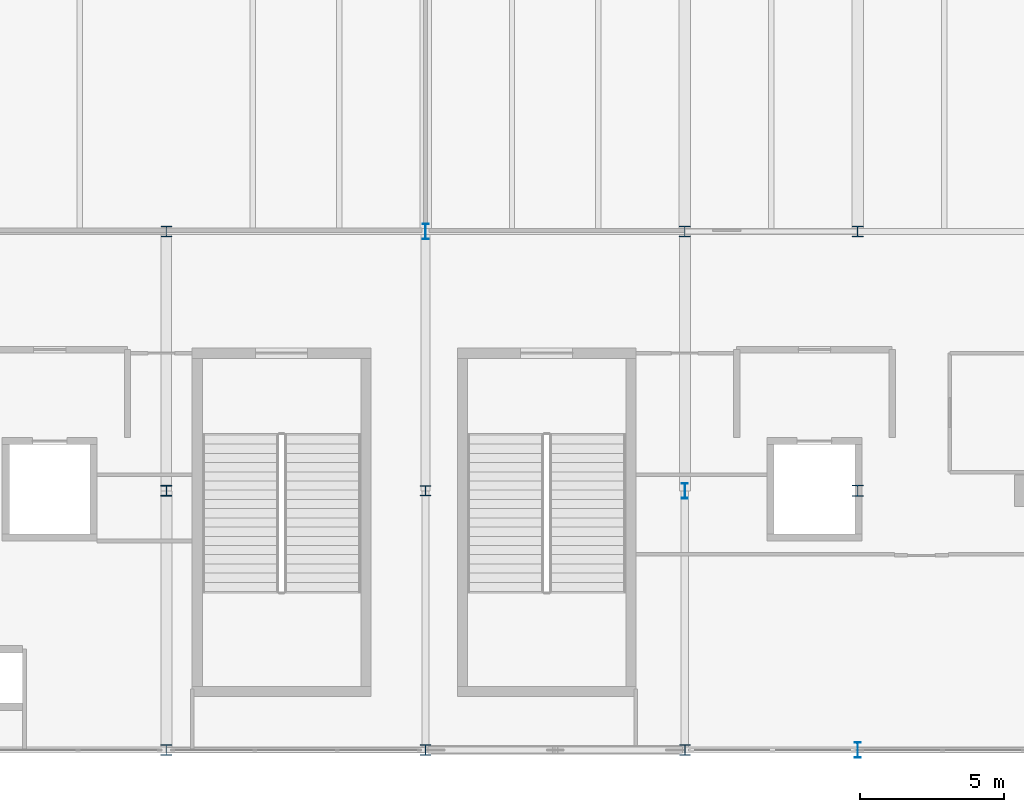
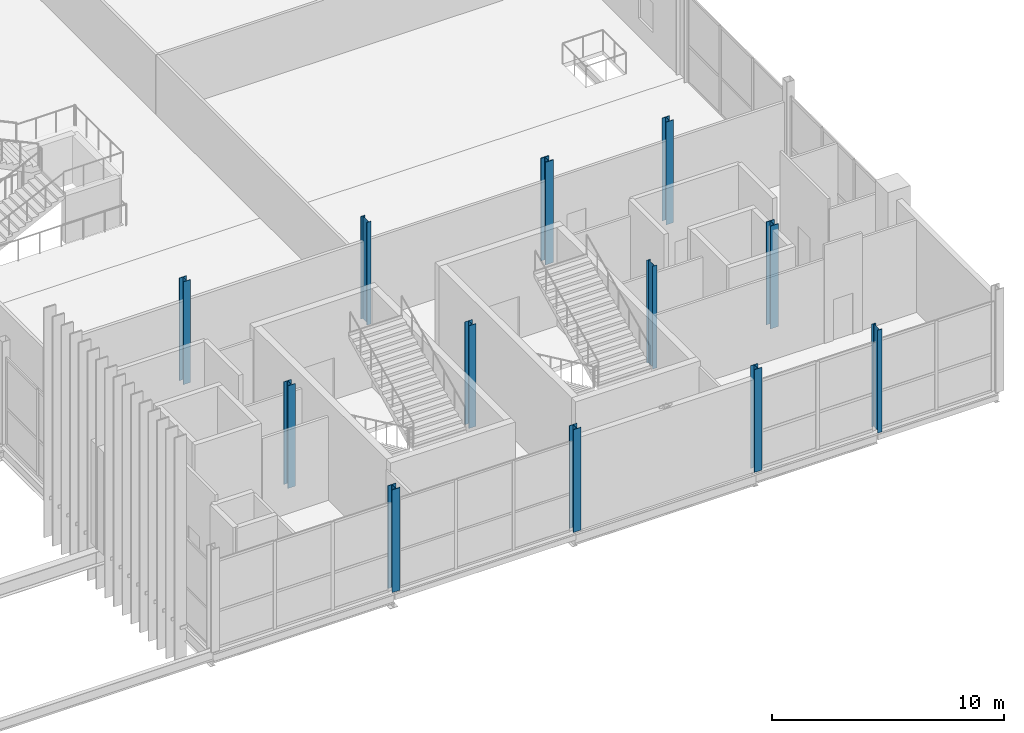
# One storey, part 12 of 119: 12 columns.
"""IFC4 building model written with IfcOpenShell, lengths in metres."""

from ifc_helpers import new_model, si_unit, direction, frame, origin, origin_2d, place, context, subcontext, project, spatial, i_section, extrude, material, material_profile, profile_set, type_object, element, save


model = new_model("IFC4")

# Units and contexts
model_context = context("Model", 3, precision=1e-05, world=origin(), true_north=direction((0.0, 1.0)))
body_context = subcontext(model_context, "Body", "Model", "MODEL_VIEW")
ifc_project = project(units=[si_unit("LENGTHUNIT", "METRE"), si_unit("AREAUNIT", "SQUARE_METRE"), si_unit("VOLUMEUNIT", "CUBIC_METRE"), si_unit("PLANEANGLEUNIT", "RADIAN"), si_unit("MASSUNIT", "GRAM", prefix="KILO")], contexts=[model_context])

# Site, building, storey
site_placement = place(None, origin())
site = spatial("IfcSite", under=ifc_project, at=site_placement, CompositionType="ELEMENT")
building_placement = place(site_placement, origin())
building = spatial("IfcBuilding", under=site, at=building_placement, Name="Qamarlyn Nura Convention Centre", CompositionType="ELEMENT")
storey_placement = place(building_placement, frame((0.0, 0.0, 5.39990234375)))
storey = spatial("IfcBuildingStorey", under=building, at=storey_placement, Name="L01", CompositionType="ELEMENT", Elevation=5.39990234375)

# Columns
ifc_material = material(Name="Steel ASTM A992", Category="steel")
ifc_material_profile_1 = material_profile(ifc_material, i_section(OverallWidth=0.39892578125, OverallDepth=0.39306640625, WebThickness=0.022705078125, FlangeThickness=0.03662109375, FilletRadius=0.01806640625, at=origin_2d()), Name="W360X287")
ifc_profile_set_1 = profile_set([ifc_material_profile_1], Name="Steel ASTM A992")
column_type_1 = type_object("IfcColumnType", Name="COL-WING-1", PredefinedType="COLUMN", material=ifc_profile_set_1)
for number, where, z_axis, x_axis, name in (
    (1, (162.0, 0.0, 0.0), (0.0, 0.0, 1.0), (1.0, 0.0, 0.0), "L01 column 14/A"),
    (2, (180.0, 18.0, 0.0), (0.0, 0.0, 1.0), (1.0, 0.0, 0.0), "L01 column 16/C"),
    (3, (186.0, 9.0, 0.0), (0.0, 0.0, 1.0), (1.0, 0.0, 0.0), "L01 column 17/B"),
):
    element("IfcColumn", number, at=place(storey_placement, frame(where, z_axis=z_axis, x_axis=x_axis)), inside=storey, type_object=column_type_1, Name=name, PredefinedType="COLUMN", context=body_context, shape_type="SweptSolid", body=[
        extrude(i_section(OverallWidth=0.39892578125, OverallDepth=0.39306640625, WebThickness=0.022705078125, FlangeThickness=0.03662109375, FilletRadius=0.01806640625, at=origin_2d()), origin(), (0.0, 0.0, 1.0), 5.400146484375),
    ])
ifc_material_profile_2 = material_profile(ifc_material, i_section(OverallWidth=0.3740234375, OverallDepth=0.3720703125, WebThickness=0.016357421875, FlangeThickness=0.026123046875, FilletRadius=0.01611328125, at=origin_2d()), Name="W360X196")
ifc_profile_set_2 = profile_set([ifc_material_profile_2], Name="Steel ASTM A992")
column_type_2 = type_object("IfcColumnType", Name="COL-WING-2", PredefinedType="COLUMN", material=ifc_profile_set_2)
for number, where, z_axis, x_axis, name in (
    (4, (162.0, 9.0, 0.0), (0.0, 0.0, 1.0), (1.0, 0.0, 0.0), "L01 column 14/B"),
    (5, (171.0, 0.0, 0.0), (0.0, 0.0, 1.0), (1.0, 0.0, 0.0), "L01 column 15/A"),
    (6, (186.0, 18.0, 0.0), (0.0, 0.0, 1.0), (1.0, 0.0, 0.0), "L01 column 17/C"),
):
    element("IfcColumn", number, at=place(storey_placement, frame(where, z_axis=z_axis, x_axis=x_axis)), inside=storey, type_object=column_type_2, Name=name, PredefinedType="COLUMN", context=body_context, shape_type="SweptSolid", body=[
        extrude(i_section(OverallWidth=0.3740234375, OverallDepth=0.3720703125, WebThickness=0.016357421875, FlangeThickness=0.026123046875, FilletRadius=0.01611328125, at=origin_2d()), origin(), (0.0, 0.0, 1.0), 5.400146484375),
    ])
ifc_material_profile_3 = material_profile(ifc_material, i_section(OverallWidth=0.368896484375, OverallDepth=0.35595703125, WebThickness=0.01123046875, FlangeThickness=0.01806640625, FilletRadius=0.014892578125, at=origin_2d()), Name="W360X134")
ifc_profile_set_3 = profile_set([ifc_material_profile_3], Name="Steel ASTM A992")
column_type_3 = type_object("IfcColumnType", Name="COL-WING-3", PredefinedType="COLUMN", material=ifc_profile_set_3)
for number, where, z_axis, x_axis, name in (
    (7, (162.0, 18.0, 0.0), (0.0, 0.0, 1.0), (1.0, 0.0, 0.0), "L01 column 14/C"),
    (8, (171.0, 9.0, 0.0), (0.0, 0.0, 1.0), (1.0, 0.0, 0.0), "L01 column 15/B"),
    (9, (180.0, 0.0, 0.0), (0.0, 0.0, 1.0), (1.0, 0.0, 0.0), "L01 column 16/A"),
):
    element("IfcColumn", number, at=place(storey_placement, frame(where, z_axis=z_axis, x_axis=x_axis)), inside=storey, type_object=column_type_3, Name=name, PredefinedType="COLUMN", context=body_context, shape_type="SweptSolid", body=[
        extrude(i_section(OverallWidth=0.368896484375, OverallDepth=0.35595703125, WebThickness=0.01123046875, FlangeThickness=0.01806640625, FilletRadius=0.014892578125, at=origin_2d()), origin(), (0.0, 0.0, 1.0), 5.400146484375),
    ])
ifc_material_profile_4 = material_profile(ifc_material, i_section(OverallWidth=0.2109375, OverallDepth=0.5390625, WebThickness=0.01171875, FlangeThickness=0.018798828125, FilletRadius=0.013916015625, at=origin_2d()), Name="W530X109")
ifc_profile_set_4 = profile_set([ifc_material_profile_4], Name="Steel ASTM A992")
column_type_4 = type_object("IfcColumnType", Name="COL-WING-7", PredefinedType="COLUMN", material=ifc_profile_set_4)
for number, where, z_axis, x_axis, name in (
    (10, (171.0, 18.0, 0.0), (0.0, 0.0, 1.0), (1.0, 0.0, 0.0), "L01 column 15/C"),
    (11, (180.0, 9.0, 0.0), (0.0, 0.0, 1.0), (1.0, 0.0, 0.0), "L01 column 16/B"),
    (12, (186.0, 0.0, 0.0), (0.0, 0.0, 1.0), (1.0, 0.0, 0.0), "L01 column 17/A"),
):
    element("IfcColumn", number, at=place(storey_placement, frame(where, z_axis=z_axis, x_axis=x_axis)), inside=storey, type_object=column_type_4, Name=name, PredefinedType="COLUMN", context=body_context, shape_type="SweptSolid", body=[
        extrude(i_section(OverallWidth=0.2109375, OverallDepth=0.5390625, WebThickness=0.01171875, FlangeThickness=0.018798828125, FilletRadius=0.013916015625, at=origin_2d()), origin(), (0.0, 0.0, 1.0), 5.400146484375),
    ])

save(model, "model.ifc")
